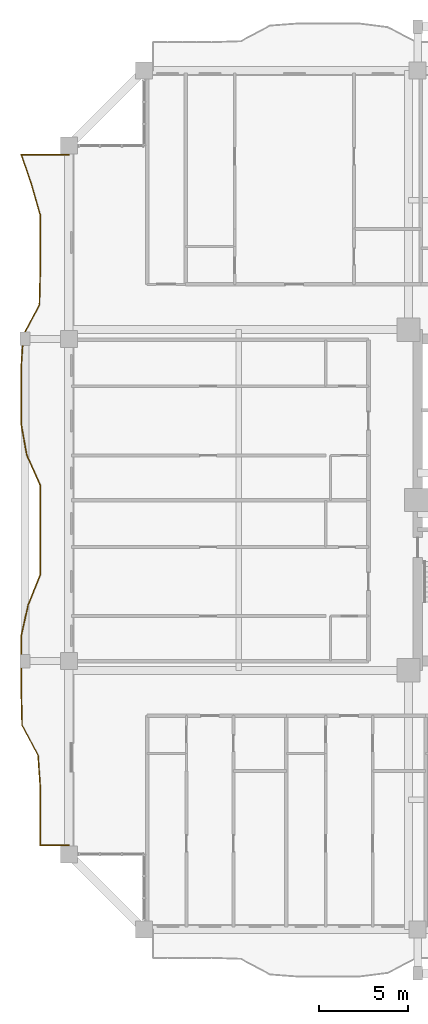
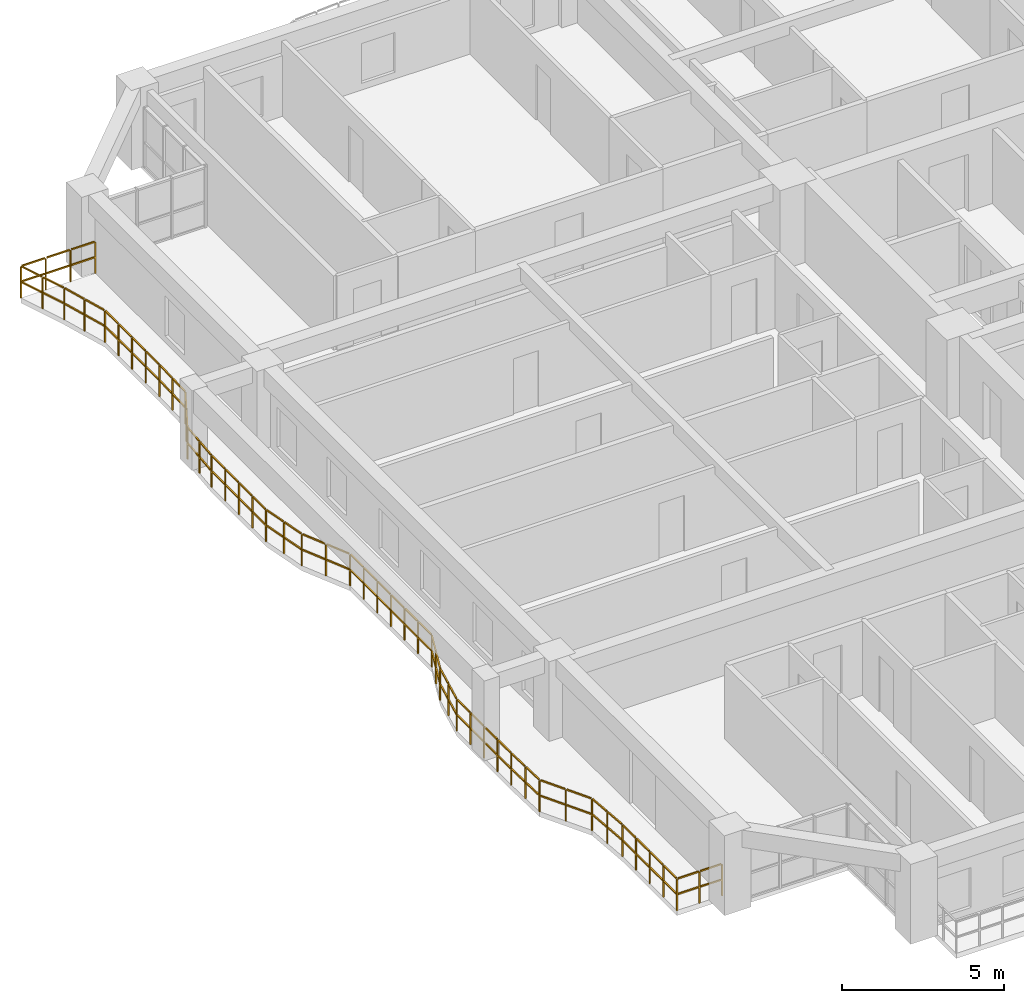
# One storey, part 22 of 25: 1 railing.
"""IFC4 building model written with IfcOpenShell, lengths in metres."""

from ifc_helpers import new_model, si_unit, direction, frame, origin, origin_2d, place, context, subcontext, project, spatial, rectangle, extrude, material, type_object, element, save


model = new_model("IFC4")

# Units and contexts
model_context = context("Model", 3, precision=1e-05, world=origin(), true_north=direction((0.0, 1.0)))
body_context = subcontext(model_context, "Body", "Model", "MODEL_VIEW")
ifc_project = project(units=[si_unit("LENGTHUNIT", "METRE"), si_unit("AREAUNIT", "SQUARE_METRE"), si_unit("VOLUMEUNIT", "CUBIC_METRE"), si_unit("PLANEANGLEUNIT", "RADIAN"), si_unit("MASSUNIT", "GRAM", prefix="KILO")], contexts=[model_context])

# Site, building, storey
site_placement = place(None, origin())
site = spatial("IfcSite", under=ifc_project, at=site_placement, CompositionType="ELEMENT")
building_placement = place(site_placement, origin())
building = spatial("IfcBuilding", under=site, at=building_placement, Name="Saelheon Loggia Tower", CompositionType="ELEMENT")
storey_placement = place(building_placement, frame((0.0, 0.0, 80.85009765625)))
storey = spatial("IfcBuildingStorey", under=building, at=storey_placement, Name="L25", CompositionType="ELEMENT", Elevation=80.85009765625)

# Railing
ifc_material = material(Name="Architectural Precast Concrete and Laminated Glass Guard", Category="concrete")
railing_type = type_object("IfcRailingType", Name="Guard_Loggia_RL_LOG", PredefinedType="BALUSTRADE", material=ifc_material)
railing_placement = place(storey_placement, frame((12.0, 46.300048828125, 0.0)))
element("IfcRailing", 1, at=railing_placement, inside=storey, type_object=railing_type, Name="L25 West Loggia Balustrade", PredefinedType="BALUSTRADE", context=body_context, shape_type="SweptSolid", body=[
    extrude(rectangle(XDim=0.048095703125, YDim=0.048095703125, at=origin_2d()), frame((-0.033203125, 0.0, 1.19580078125), z_axis=(-1.0, 0.0, 0.0), x_axis=(0.0, -1.0, 0.0)), (0.0, 0.0, 1.0), 0.81689453125),
    extrude(rectangle(XDim=0.048095703125, YDim=0.048095703125, at=origin_2d()), frame((-0.033203125, 0.0, 0.60986328125), z_axis=(-1.0, 0.0, 0.0), x_axis=(0.0, -1.0, 0.0)), (0.0, 0.0, 1.0), 0.81689453125),
    extrude(rectangle(XDim=0.048095703125, YDim=0.048095703125, at=origin_2d()), frame((-0.91650390625, 0.0, 1.19580078125), z_axis=(-1.0, 0.0, 0.0), x_axis=(0.0, -1.0, 0.0)), (0.0, 0.0, 1.0), 0.81689453125),
    extrude(rectangle(XDim=0.048095703125, YDim=0.048095703125, at=origin_2d()), frame((-0.91650390625, 0.0, 0.60986328125), z_axis=(-1.0, 0.0, 0.0), x_axis=(0.0, -1.0, 0.0)), (0.0, 0.0, 1.0), 0.81689453125),
    extrude(rectangle(XDim=0.048095703125, YDim=0.048095703125, at=origin_2d()), frame((-1.7998046875, 0.0, 1.19580078125), z_axis=(-1.0, 0.0, 0.0), x_axis=(0.0, -1.0, 0.0)), (0.0, 0.0, 1.0), 0.81689453125),
    extrude(rectangle(XDim=0.048095703125, YDim=0.048095703125, at=origin_2d()), frame((-1.7998046875, 0.0, 0.60986328125), z_axis=(-1.0, 0.0, 0.0), x_axis=(0.0, -1.0, 0.0)), (0.0, 0.0, 1.0), 0.81689453125),
    extrude(rectangle(XDim=0.048095703125, YDim=0.048095703125, at=origin_2d()), frame((-2.63916015625, -0.031494140625, 1.19580078125), z_axis=(0.321347076039, -0.946961486398, 0.0), x_axis=(0.946961486398, 0.321347076039, 0.0)), (0.0, 0.0, 1.0), 0.81982421875),
    extrude(rectangle(XDim=0.048095703125, YDim=0.048095703125, at=origin_2d()), frame((-2.63916015625, -0.031494140625, 0.60986328125), z_axis=(0.321347076039, -0.946961486398, 0.0), x_axis=(0.946961486398, 0.321347076039, 0.0)), (0.0, 0.0, 1.0), 0.81982421875),
    extrude(rectangle(XDim=0.048095703125, YDim=0.048095703125, at=origin_2d()), frame((-2.3544921875, -0.87060546875, 1.19580078125), z_axis=(0.321347076039, -0.946961486398, 0.0), x_axis=(0.946961486398, 0.321347076039, 0.0)), (0.0, 0.0, 1.0), 0.81982421875),
    extrude(rectangle(XDim=0.048095703125, YDim=0.048095703125, at=origin_2d()), frame((-2.3544921875, -0.87060546875, 0.60986328125), z_axis=(0.321347076039, -0.946961486398, 0.0), x_axis=(0.946961486398, 0.321347076039, 0.0)), (0.0, 0.0, 1.0), 0.81982421875),
    extrude(rectangle(XDim=0.048095703125, YDim=0.048095703125, at=origin_2d()), frame((-2.0712890625, -1.71044921875, 1.19580078125), z_axis=(0.275146022747, -0.961402447556, 0.0), x_axis=(0.961402447556, 0.275146022747, 0.0)), (0.0, 0.0, 1.0), 0.80615234375),
    extrude(rectangle(XDim=0.048095703125, YDim=0.048095703125, at=origin_2d()), frame((-2.0712890625, -1.71044921875, 0.60986328125), z_axis=(0.275146022747, -0.961402447556, 0.0), x_axis=(0.961402447556, 0.275146022747, 0.0)), (0.0, 0.0, 1.0), 0.80615234375),
    extrude(rectangle(XDim=0.048095703125, YDim=0.048095703125, at=origin_2d()), frame((-1.8310546875, -2.54931640625, 1.19580078125), z_axis=(0.275146022747, -0.961402447556, 0.0), x_axis=(0.961402447556, 0.275146022747, 0.0)), (0.0, 0.0, 1.0), 0.80615234375),
    extrude(rectangle(XDim=0.048095703125, YDim=0.048095703125, at=origin_2d()), frame((-1.8310546875, -2.54931640625, 0.60986328125), z_axis=(0.275146022747, -0.961402447556, 0.0), x_axis=(0.961402447556, 0.275146022747, 0.0)), (0.0, 0.0, 1.0), 0.80615234375),
    extrude(rectangle(XDim=0.048095703125, YDim=0.048095703125, at=origin_2d()), frame((-1.60009765625, -3.3896484375, 1.19580078125), z_axis=(0.0, -1.0, 0.0), x_axis=(1.0, 0.0, 0.0)), (0.0, 0.0, 1.0), 0.772705078125),
    extrude(rectangle(XDim=0.048095703125, YDim=0.048095703125, at=origin_2d()), frame((-1.60009765625, -3.3896484375, 0.60986328125), z_axis=(0.0, -1.0, 0.0), x_axis=(1.0, 0.0, 0.0)), (0.0, 0.0, 1.0), 0.772705078125),
    extrude(rectangle(XDim=0.048095703125, YDim=0.048095703125, at=origin_2d()), frame((-1.60009765625, -4.22900390625, 1.19580078125), z_axis=(0.0, -1.0, 0.0), x_axis=(1.0, 0.0, 0.0)), (0.0, 0.0, 1.0), 0.772705078125),
    extrude(rectangle(XDim=0.048095703125, YDim=0.048095703125, at=origin_2d()), frame((-1.60009765625, -4.22900390625, 0.60986328125), z_axis=(0.0, -1.0, 0.0), x_axis=(1.0, 0.0, 0.0)), (0.0, 0.0, 1.0), 0.772705078125),
    extrude(rectangle(XDim=0.048095703125, YDim=0.048095703125, at=origin_2d()), frame((-1.60009765625, -5.068115234375, 1.19580078125), z_axis=(0.0, -1.0, 0.0), x_axis=(1.0, 0.0, 0.0)), (0.0, 0.0, 1.0), 0.772705078125),
    extrude(rectangle(XDim=0.048095703125, YDim=0.048095703125, at=origin_2d()), frame((-1.60009765625, -5.068115234375, 0.60986328125), z_axis=(0.0, -1.0, 0.0), x_axis=(1.0, 0.0, 0.0)), (0.0, 0.0, 1.0), 0.772705078125),
    extrude(rectangle(XDim=0.048095703125, YDim=0.048095703125, at=origin_2d()), frame((-1.60009765625, -5.9072265625, 1.19580078125), z_axis=(0.0, -1.0, 0.0), x_axis=(1.0, 0.0, 0.0)), (0.0, 0.0, 1.0), 0.772705078125),
    extrude(rectangle(XDim=0.048095703125, YDim=0.048095703125, at=origin_2d()), frame((-1.60009765625, -5.9072265625, 0.60986328125), z_axis=(0.0, -1.0, 0.0), x_axis=(1.0, 0.0, 0.0)), (0.0, 0.0, 1.0), 0.772705078125),
    extrude(rectangle(XDim=0.048095703125, YDim=0.048095703125, at=origin_2d()), frame((-1.600830078125, -6.746337890625, 1.19580078125), z_axis=(-0.024723310515, -0.999694332242, 0.0), x_axis=(0.999694332242, -0.024723310515, 0.0)), (0.0, 0.0, 1.0), 0.77294921875),
    extrude(rectangle(XDim=0.048095703125, YDim=0.048095703125, at=origin_2d()), frame((-1.600830078125, -6.746337890625, 0.60986328125), z_axis=(-0.024723310515, -0.999694332242, 0.0), x_axis=(0.999694332242, -0.024723310515, 0.0)), (0.0, 0.0, 1.0), 0.77294921875),
    extrude(rectangle(XDim=0.048095703125, YDim=0.048095703125, at=origin_2d()), frame((-1.62158203125, -7.58544921875, 1.19580078125), z_axis=(-0.024723310515, -0.999694332242, 0.0), x_axis=(0.999694332242, -0.024723310515, 0.0)), (0.0, 0.0, 1.0), 0.77294921875),
    extrude(rectangle(XDim=0.048095703125, YDim=0.048095703125, at=origin_2d()), frame((-1.62158203125, -7.58544921875, 0.60986328125), z_axis=(-0.024723310515, -0.999694332242, 0.0), x_axis=(0.999694332242, -0.024723310515, 0.0)), (0.0, 0.0, 1.0), 0.77294921875),
    extrude(rectangle(XDim=0.048095703125, YDim=0.048095703125, at=origin_2d()), frame((-1.6572265625, -8.420654296875, 1.19580078125), z_axis=(-0.470275016821, -0.882519919636, 0.0), x_axis=(0.882519919636, -0.470275016821, 0.0)), (0.0, 0.0, 1.0), 0.88427734375),
    extrude(rectangle(XDim=0.048095703125, YDim=0.048095703125, at=origin_2d()), frame((-1.6572265625, -8.420654296875, 0.60986328125), z_axis=(-0.470275016821, -0.882519919636, 0.0), x_axis=(0.882519919636, -0.470275016821, 0.0)), (0.0, 0.0, 1.0), 0.88427734375),
    extrude(rectangle(XDim=0.048095703125, YDim=0.048095703125, at=origin_2d()), frame((-2.1044921875, -9.259765625, 1.19580078125), z_axis=(-0.470275016821, -0.882519919636, 0.0), x_axis=(0.882519919636, -0.470275016821, 0.0)), (0.0, 0.0, 1.0), 0.88427734375),
    extrude(rectangle(XDim=0.048095703125, YDim=0.048095703125, at=origin_2d()), frame((-2.1044921875, -9.259765625, 0.60986328125), z_axis=(-0.470275016821, -0.882519919636, 0.0), x_axis=(0.882519919636, -0.470275016821, 0.0)), (0.0, 0.0, 1.0), 0.88427734375),
    extrude(rectangle(XDim=0.048095703125, YDim=0.048095703125, at=origin_2d()), frame((-2.5380859375, -10.102783203125, 1.19580078125), z_axis=(-0.06778091462, -0.997700229334, 0.0), x_axis=(0.997700229334, -0.06778091462, 0.0)), (0.0, 0.0, 1.0), 0.774658203125),
    extrude(rectangle(XDim=0.048095703125, YDim=0.048095703125, at=origin_2d()), frame((-2.5380859375, -10.102783203125, 0.60986328125), z_axis=(-0.06778091462, -0.997700229334, 0.0), x_axis=(0.997700229334, -0.06778091462, 0.0)), (0.0, 0.0, 1.0), 0.774658203125),
    extrude(rectangle(XDim=0.048095703125, YDim=0.048095703125, at=origin_2d()), frame((-2.59521484375, -10.94189453125, 1.19580078125), z_axis=(-0.06778091462, -0.997700229334, 0.0), x_axis=(0.997700229334, -0.06778091462, 0.0)), (0.0, 0.0, 1.0), 0.774658203125),
    extrude(rectangle(XDim=0.048095703125, YDim=0.048095703125, at=origin_2d()), frame((-2.59521484375, -10.94189453125, 0.60986328125), z_axis=(-0.06778091462, -0.997700229334, 0.0), x_axis=(0.997700229334, -0.06778091462, 0.0)), (0.0, 0.0, 1.0), 0.774658203125),
    extrude(rectangle(XDim=0.048095703125, YDim=0.048095703125, at=origin_2d()), frame((-2.64990234375, -11.781005859375, 1.19580078125), z_axis=(0.0, -1.0, 0.0), x_axis=(1.0, 0.0, 0.0)), (0.0, 0.0, 1.0), 0.772705078125),
    extrude(rectangle(XDim=0.048095703125, YDim=0.048095703125, at=origin_2d()), frame((-2.64990234375, -11.781005859375, 0.60986328125), z_axis=(0.0, -1.0, 0.0), x_axis=(1.0, 0.0, 0.0)), (0.0, 0.0, 1.0), 0.772705078125),
    extrude(rectangle(XDim=0.048095703125, YDim=0.048095703125, at=origin_2d()), frame((-2.64990234375, -12.620361328125, 1.19580078125), z_axis=(0.0, -1.0, 0.0), x_axis=(1.0, 0.0, 0.0)), (0.0, 0.0, 1.0), 0.772705078125),
    extrude(rectangle(XDim=0.048095703125, YDim=0.048095703125, at=origin_2d()), frame((-2.64990234375, -12.620361328125, 0.60986328125), z_axis=(0.0, -1.0, 0.0), x_axis=(1.0, 0.0, 0.0)), (0.0, 0.0, 1.0), 0.772705078125),
    extrude(rectangle(XDim=0.048095703125, YDim=0.048095703125, at=origin_2d()), frame((-2.64990234375, -13.45947265625, 1.19580078125), z_axis=(0.0, -1.0, 0.0), x_axis=(1.0, 0.0, 0.0)), (0.0, 0.0, 1.0), 0.7724609375),
    extrude(rectangle(XDim=0.048095703125, YDim=0.048095703125, at=origin_2d()), frame((-2.64990234375, -13.45947265625, 0.60986328125), z_axis=(0.0, -1.0, 0.0), x_axis=(1.0, 0.0, 0.0)), (0.0, 0.0, 1.0), 0.7724609375),
    extrude(rectangle(XDim=0.048095703125, YDim=0.048095703125, at=origin_2d()), frame((-2.64990234375, -14.298583984375, 1.19580078125), z_axis=(0.0, -1.0, 0.0), x_axis=(1.0, 0.0, 0.0)), (0.0, 0.0, 1.0), 0.7724609375),
    extrude(rectangle(XDim=0.048095703125, YDim=0.048095703125, at=origin_2d()), frame((-2.64990234375, -14.298583984375, 0.60986328125), z_axis=(0.0, -1.0, 0.0), x_axis=(1.0, 0.0, 0.0)), (0.0, 0.0, 1.0), 0.7724609375),
    extrude(rectangle(XDim=0.048095703125, YDim=0.048095703125, at=origin_2d()), frame((-2.64404296875, -15.136962890625, 1.19580078125), z_axis=(0.176390201741, -0.984320322217, 0.0), x_axis=(0.984320322217, 0.176390201741, 0.0)), (0.0, 0.0, 1.0), 0.7861328125),
    extrude(rectangle(XDim=0.048095703125, YDim=0.048095703125, at=origin_2d()), frame((-2.64404296875, -15.136962890625, 0.60986328125), z_axis=(0.176390201741, -0.984320322217, 0.0), x_axis=(0.984320322217, 0.176390201741, 0.0)), (0.0, 0.0, 1.0), 0.7861328125),
    extrude(rectangle(XDim=0.048095703125, YDim=0.048095703125, at=origin_2d()), frame((-2.49365234375, -15.97607421875, 1.19580078125), z_axis=(0.176390201741, -0.984320322217, 0.0), x_axis=(0.984320322217, 0.176390201741, 0.0)), (0.0, 0.0, 1.0), 0.7861328125),
    extrude(rectangle(XDim=0.048095703125, YDim=0.048095703125, at=origin_2d()), frame((-2.49365234375, -15.97607421875, 0.60986328125), z_axis=(0.176390201741, -0.984320322217, 0.0), x_axis=(0.984320322217, 0.176390201741, 0.0)), (0.0, 0.0, 1.0), 0.7861328125),
    extrude(rectangle(XDim=0.048095703125, YDim=0.048095703125, at=origin_2d()), frame((-2.335693359375, -16.81298828125, 1.19580078125), z_axis=(0.407567762137, -0.913174966404, 0.0), x_axis=(0.913174966404, 0.407567762137, 0.0)), (0.0, 0.0, 1.0), 0.8525390625),
    extrude(rectangle(XDim=0.048095703125, YDim=0.048095703125, at=origin_2d()), frame((-2.335693359375, -16.81298828125, 0.60986328125), z_axis=(0.407567762137, -0.913174966404, 0.0), x_axis=(0.913174966404, 0.407567762137, 0.0)), (0.0, 0.0, 1.0), 0.8525390625),
    extrude(rectangle(XDim=0.048095703125, YDim=0.048095703125, at=origin_2d()), frame((-1.961181640625, -17.652099609375, 1.19580078125), z_axis=(0.407567762137, -0.913174966404, 0.0), x_axis=(0.913174966404, 0.407567762137, 0.0)), (0.0, 0.0, 1.0), 0.8525390625),
    extrude(rectangle(XDim=0.048095703125, YDim=0.048095703125, at=origin_2d()), frame((-1.961181640625, -17.652099609375, 0.60986328125), z_axis=(0.407567762137, -0.913174966404, 0.0), x_axis=(0.913174966404, 0.407567762137, 0.0)), (0.0, 0.0, 1.0), 0.8525390625),
    extrude(rectangle(XDim=0.048095703125, YDim=0.048095703125, at=origin_2d()), frame((-1.60009765625, -18.494140625, 1.19580078125), z_axis=(0.0, -1.0, 0.0), x_axis=(1.0, 0.0, 0.0)), (0.0, 0.0, 1.0), 0.772705078125),
    extrude(rectangle(XDim=0.048095703125, YDim=0.048095703125, at=origin_2d()), frame((-1.60009765625, -18.494140625, 0.60986328125), z_axis=(0.0, -1.0, 0.0), x_axis=(1.0, 0.0, 0.0)), (0.0, 0.0, 1.0), 0.772705078125),
    extrude(rectangle(XDim=0.048095703125, YDim=0.048095703125, at=origin_2d()), frame((-1.60009765625, -19.333251953125, 1.19580078125), z_axis=(0.0, -1.0, 0.0), x_axis=(1.0, 0.0, 0.0)), (0.0, 0.0, 1.0), 0.772705078125),
    extrude(rectangle(XDim=0.048095703125, YDim=0.048095703125, at=origin_2d()), frame((-1.60009765625, -19.333251953125, 0.60986328125), z_axis=(0.0, -1.0, 0.0), x_axis=(1.0, 0.0, 0.0)), (0.0, 0.0, 1.0), 0.772705078125),
    extrude(rectangle(XDim=0.048095703125, YDim=0.048095703125, at=origin_2d()), frame((-1.60009765625, -20.17236328125, 1.19580078125), z_axis=(0.0, -1.0, 0.0), x_axis=(1.0, 0.0, 0.0)), (0.0, 0.0, 1.0), 0.772705078125),
    extrude(rectangle(XDim=0.048095703125, YDim=0.048095703125, at=origin_2d()), frame((-1.60009765625, -20.17236328125, 0.60986328125), z_axis=(0.0, -1.0, 0.0), x_axis=(1.0, 0.0, 0.0)), (0.0, 0.0, 1.0), 0.772705078125),
    extrude(rectangle(XDim=0.048095703125, YDim=0.048095703125, at=origin_2d()), frame((-1.60009765625, -21.011474609375, 1.19580078125), z_axis=(0.0, -1.0, 0.0), x_axis=(1.0, 0.0, 0.0)), (0.0, 0.0, 1.0), 0.772705078125),
    extrude(rectangle(XDim=0.048095703125, YDim=0.048095703125, at=origin_2d()), frame((-1.60009765625, -21.011474609375, 0.60986328125), z_axis=(0.0, -1.0, 0.0), x_axis=(1.0, 0.0, 0.0)), (0.0, 0.0, 1.0), 0.772705078125),
    extrude(rectangle(XDim=0.048095703125, YDim=0.048095703125, at=origin_2d()), frame((-1.60009765625, -21.8505859375, 1.19580078125), z_axis=(0.0, -1.0, 0.0), x_axis=(1.0, 0.0, 0.0)), (0.0, 0.0, 1.0), 0.772705078125),
    extrude(rectangle(XDim=0.048095703125, YDim=0.048095703125, at=origin_2d()), frame((-1.60009765625, -21.8505859375, 0.60986328125), z_axis=(0.0, -1.0, 0.0), x_axis=(1.0, 0.0, 0.0)), (0.0, 0.0, 1.0), 0.772705078125),
    extrude(rectangle(XDim=0.048095703125, YDim=0.048095703125, at=origin_2d()), frame((-1.60009765625, -22.68994140625, 1.19580078125), z_axis=(0.0, -1.0, 0.0), x_axis=(1.0, 0.0, 0.0)), (0.0, 0.0, 1.0), 0.772705078125),
    extrude(rectangle(XDim=0.048095703125, YDim=0.048095703125, at=origin_2d()), frame((-1.60009765625, -22.68994140625, 0.60986328125), z_axis=(0.0, -1.0, 0.0), x_axis=(1.0, 0.0, 0.0)), (0.0, 0.0, 1.0), 0.772705078125),
    extrude(rectangle(XDim=0.048095703125, YDim=0.048095703125, at=origin_2d()), frame((-1.612548828125, -23.526611328125, 1.19580078125), z_axis=(-0.371483836575, -0.928439421375, 0.0), x_axis=(0.928439421375, -0.371483836575, 0.0)), (0.0, 0.0, 1.0), 0.837158203125),
    extrude(rectangle(XDim=0.048095703125, YDim=0.048095703125, at=origin_2d()), frame((-1.612548828125, -23.526611328125, 0.60986328125), z_axis=(-0.371483836575, -0.928439421375, 0.0), x_axis=(0.928439421375, -0.371483836575, 0.0)), (0.0, 0.0, 1.0), 0.837158203125),
    extrude(rectangle(XDim=0.048095703125, YDim=0.048095703125, at=origin_2d()), frame((-1.9482421875, -24.36572265625, 1.19580078125), z_axis=(-0.371483836575, -0.928439421375, 0.0), x_axis=(0.928439421375, -0.371483836575, 0.0)), (0.0, 0.0, 1.0), 0.837158203125),
    extrude(rectangle(XDim=0.048095703125, YDim=0.048095703125, at=origin_2d()), frame((-1.9482421875, -24.36572265625, 0.60986328125), z_axis=(-0.371483836575, -0.928439421375, 0.0), x_axis=(0.928439421375, -0.371483836575, 0.0)), (0.0, 0.0, 1.0), 0.837158203125),
    extrude(rectangle(XDim=0.048095703125, YDim=0.048095703125, at=origin_2d()), frame((-2.27880859375, -25.206298828125, 1.19580078125), z_axis=(-0.219934224099, -0.975514703667, 0.0), x_axis=(0.975514703667, -0.219934224099, 0.0)), (0.0, 0.0, 1.0), 0.7939453125),
    extrude(rectangle(XDim=0.048095703125, YDim=0.048095703125, at=origin_2d()), frame((-2.27880859375, -25.206298828125, 0.60986328125), z_axis=(-0.219934224099, -0.975514703667, 0.0), x_axis=(0.975514703667, -0.219934224099, 0.0)), (0.0, 0.0, 1.0), 0.7939453125),
    extrude(rectangle(XDim=0.048095703125, YDim=0.048095703125, at=origin_2d()), frame((-2.468017578125, -26.04541015625, 1.19580078125), z_axis=(-0.219934224099, -0.975514703667, 0.0), x_axis=(0.975514703667, -0.219934224099, 0.0)), (0.0, 0.0, 1.0), 0.7939453125),
    extrude(rectangle(XDim=0.048095703125, YDim=0.048095703125, at=origin_2d()), frame((-2.468017578125, -26.04541015625, 0.60986328125), z_axis=(-0.219934224099, -0.975514703667, 0.0), x_axis=(0.975514703667, -0.219934224099, 0.0)), (0.0, 0.0, 1.0), 0.7939453125),
    extrude(rectangle(XDim=0.048095703125, YDim=0.048095703125, at=origin_2d()), frame((-2.64990234375, -26.885498046875, 1.19580078125), z_axis=(0.0, -1.0, 0.0), x_axis=(1.0, 0.0, 0.0)), (0.0, 0.0, 1.0), 0.772705078125),
    extrude(rectangle(XDim=0.048095703125, YDim=0.048095703125, at=origin_2d()), frame((-2.64990234375, -26.885498046875, 0.60986328125), z_axis=(0.0, -1.0, 0.0), x_axis=(1.0, 0.0, 0.0)), (0.0, 0.0, 1.0), 0.772705078125),
    extrude(rectangle(XDim=0.048095703125, YDim=0.048095703125, at=origin_2d()), frame((-2.64990234375, -27.724609375, 1.19580078125), z_axis=(0.0, -1.0, 0.0), x_axis=(1.0, 0.0, 0.0)), (0.0, 0.0, 1.0), 0.772705078125),
    extrude(rectangle(XDim=0.048095703125, YDim=0.048095703125, at=origin_2d()), frame((-2.64990234375, -27.724609375, 0.60986328125), z_axis=(0.0, -1.0, 0.0), x_axis=(1.0, 0.0, 0.0)), (0.0, 0.0, 1.0), 0.772705078125),
    extrude(rectangle(XDim=0.048095703125, YDim=0.048095703125, at=origin_2d()), frame((-2.64990234375, -28.563720703125, 1.19580078125), z_axis=(0.0, -1.0, 0.0), x_axis=(1.0, 0.0, 0.0)), (0.0, 0.0, 1.0), 0.772705078125),
    extrude(rectangle(XDim=0.048095703125, YDim=0.048095703125, at=origin_2d()), frame((-2.64990234375, -28.563720703125, 0.60986328125), z_axis=(0.0, -1.0, 0.0), x_axis=(1.0, 0.0, 0.0)), (0.0, 0.0, 1.0), 0.772705078125),
    extrude(rectangle(XDim=0.048095703125, YDim=0.048095703125, at=origin_2d()), frame((-2.64990234375, -29.40283203125, 1.19580078125), z_axis=(0.0, -1.0, 0.0), x_axis=(1.0, 0.0, 0.0)), (0.0, 0.0, 1.0), 0.772705078125),
    extrude(rectangle(XDim=0.048095703125, YDim=0.048095703125, at=origin_2d()), frame((-2.64990234375, -29.40283203125, 0.60986328125), z_axis=(0.0, -1.0, 0.0), x_axis=(1.0, 0.0, 0.0)), (0.0, 0.0, 1.0), 0.772705078125),
    extrude(rectangle(XDim=0.048095703125, YDim=0.048095703125, at=origin_2d()), frame((-2.649169921875, -30.241943359375, 1.19580078125), z_axis=(0.023851228559, -0.999715518983, 0.0), x_axis=(0.999715518983, 0.023851228559, 0.0)), (0.0, 0.0, 1.0), 0.77294921875),
    extrude(rectangle(XDim=0.048095703125, YDim=0.048095703125, at=origin_2d()), frame((-2.649169921875, -30.241943359375, 0.60986328125), z_axis=(0.023851228559, -0.999715518983, 0.0), x_axis=(0.999715518983, 0.023851228559, 0.0)), (0.0, 0.0, 1.0), 0.77294921875),
    extrude(rectangle(XDim=0.048095703125, YDim=0.048095703125, at=origin_2d()), frame((-2.629150390625, -31.0810546875, 1.19580078125), z_axis=(0.023851228559, -0.999715518983, 0.0), x_axis=(0.999715518983, 0.023851228559, 0.0)), (0.0, 0.0, 1.0), 0.77294921875),
    extrude(rectangle(XDim=0.048095703125, YDim=0.048095703125, at=origin_2d()), frame((-2.629150390625, -31.0810546875, 0.60986328125), z_axis=(0.023851228559, -0.999715518983, 0.0), x_axis=(0.999715518983, 0.023851228559, 0.0)), (0.0, 0.0, 1.0), 0.77294921875),
    extrude(rectangle(XDim=0.048095703125, YDim=0.048095703125, at=origin_2d()), frame((-2.59423828125, -31.916259765625, 1.19580078125), z_axis=(0.4706748388, -0.882306747181, 0.0), x_axis=(0.882306747181, 0.4706748388, 0.0)), (0.0, 0.0, 1.0), 0.884521484375),
    extrude(rectangle(XDim=0.048095703125, YDim=0.048095703125, at=origin_2d()), frame((-2.59423828125, -31.916259765625, 0.60986328125), z_axis=(0.4706748388, -0.882306747181, 0.0), x_axis=(0.882306747181, 0.4706748388, 0.0)), (0.0, 0.0, 1.0), 0.884521484375),
    extrude(rectangle(XDim=0.048095703125, YDim=0.048095703125, at=origin_2d()), frame((-2.146484375, -32.75537109375, 1.19580078125), z_axis=(0.4706748388, -0.882306747181, 0.0), x_axis=(0.882306747181, 0.4706748388, 0.0)), (0.0, 0.0, 1.0), 0.884521484375),
    extrude(rectangle(XDim=0.048095703125, YDim=0.048095703125, at=origin_2d()), frame((-2.146484375, -32.75537109375, 0.60986328125), z_axis=(0.4706748388, -0.882306747181, 0.0), x_axis=(0.882306747181, 0.4706748388, 0.0)), (0.0, 0.0, 1.0), 0.884521484375),
    extrude(rectangle(XDim=0.048095703125, YDim=0.048095703125, at=origin_2d()), frame((-1.71240234375, -33.598388671875, 1.19580078125), z_axis=(0.068059999537, -0.997681229884, 0.0), x_axis=(0.997681229884, 0.068059999537, 0.0)), (0.0, 0.0, 1.0), 0.774658203125),
    extrude(rectangle(XDim=0.048095703125, YDim=0.048095703125, at=origin_2d()), frame((-1.71240234375, -33.598388671875, 0.60986328125), z_axis=(0.068059999537, -0.997681229884, 0.0), x_axis=(0.997681229884, 0.068059999537, 0.0)), (0.0, 0.0, 1.0), 0.774658203125),
    extrude(rectangle(XDim=0.048095703125, YDim=0.048095703125, at=origin_2d()), frame((-1.655029296875, -34.4375, 1.19580078125), z_axis=(0.068059999537, -0.997681229884, 0.0), x_axis=(0.997681229884, 0.068059999537, 0.0)), (0.0, 0.0, 1.0), 0.774658203125),
    extrude(rectangle(XDim=0.048095703125, YDim=0.048095703125, at=origin_2d()), frame((-1.655029296875, -34.4375, 0.60986328125), z_axis=(0.068059999537, -0.997681229884, 0.0), x_axis=(0.997681229884, 0.068059999537, 0.0)), (0.0, 0.0, 1.0), 0.774658203125),
    extrude(rectangle(XDim=0.048095703125, YDim=0.048095703125, at=origin_2d()), frame((-1.60009765625, -35.27685546875, 1.19580078125), z_axis=(0.0, -1.0, 0.0), x_axis=(1.0, 0.0, 0.0)), (0.0, 0.0, 1.0), 0.7724609375),
    extrude(rectangle(XDim=0.048095703125, YDim=0.048095703125, at=origin_2d()), frame((-1.60009765625, -35.27685546875, 0.60986328125), z_axis=(0.0, -1.0, 0.0), x_axis=(1.0, 0.0, 0.0)), (0.0, 0.0, 1.0), 0.7724609375),
    extrude(rectangle(XDim=0.048095703125, YDim=0.048095703125, at=origin_2d()), frame((-1.60009765625, -36.115966796875, 1.19580078125), z_axis=(0.0, -1.0, 0.0), x_axis=(1.0, 0.0, 0.0)), (0.0, 0.0, 1.0), 0.7724609375),
    extrude(rectangle(XDim=0.048095703125, YDim=0.048095703125, at=origin_2d()), frame((-1.60009765625, -36.115966796875, 0.60986328125), z_axis=(0.0, -1.0, 0.0), x_axis=(1.0, 0.0, 0.0)), (0.0, 0.0, 1.0), 0.7724609375),
    extrude(rectangle(XDim=0.048095703125, YDim=0.048095703125, at=origin_2d()), frame((-1.60009765625, -36.954833984375, 1.19580078125), z_axis=(0.0, -1.0, 0.0), x_axis=(1.0, 0.0, 0.0)), (0.0, 0.0, 1.0), 0.772705078125),
    extrude(rectangle(XDim=0.048095703125, YDim=0.048095703125, at=origin_2d()), frame((-1.60009765625, -36.954833984375, 0.60986328125), z_axis=(0.0, -1.0, 0.0), x_axis=(1.0, 0.0, 0.0)), (0.0, 0.0, 1.0), 0.772705078125),
    extrude(rectangle(XDim=0.048095703125, YDim=0.048095703125, at=origin_2d()), frame((-1.60009765625, -37.794189453125, 1.19580078125), z_axis=(0.0, -1.0, 0.0), x_axis=(1.0, 0.0, 0.0)), (0.0, 0.0, 1.0), 0.772705078125),
    extrude(rectangle(XDim=0.048095703125, YDim=0.048095703125, at=origin_2d()), frame((-1.60009765625, -37.794189453125, 0.60986328125), z_axis=(0.0, -1.0, 0.0), x_axis=(1.0, 0.0, 0.0)), (0.0, 0.0, 1.0), 0.772705078125),
    extrude(rectangle(XDim=0.048095703125, YDim=0.048095703125, at=origin_2d()), frame((-1.56689453125, -38.60009765625, 1.19580078125), z_axis=(1.0, 0.0, 0.0), x_axis=(0.0, 1.0, 0.0)), (0.0, 0.0, 1.0), 0.733642578125),
    extrude(rectangle(XDim=0.048095703125, YDim=0.048095703125, at=origin_2d()), frame((-1.56689453125, -38.60009765625, 0.60986328125), z_axis=(1.0, 0.0, 0.0), x_axis=(0.0, 1.0, 0.0)), (0.0, 0.0, 1.0), 0.733642578125),
    extrude(rectangle(XDim=0.048095703125, YDim=0.048095703125, at=origin_2d()), frame((-0.766845703125, -38.60009765625, 1.19580078125), z_axis=(1.0, 0.0, 0.0), x_axis=(0.0, 1.0, 0.0)), (0.0, 0.0, 1.0), 0.733642578125),
    extrude(rectangle(XDim=0.048095703125, YDim=0.048095703125, at=origin_2d()), frame((-0.766845703125, -38.60009765625, 0.60986328125), z_axis=(1.0, 0.0, 0.0), x_axis=(0.0, 1.0, 0.0)), (0.0, 0.0, 1.0), 0.733642578125),
    extrude(rectangle(XDim=0.0419921875, YDim=0.0419921875, at=origin_2d()), origin(), (0.0, 0.0, 1.0), 1.16796875),
    extrude(rectangle(XDim=0.0419921875, YDim=0.0419921875, at=origin_2d()), frame((-0.88330078125, 0.0, 0.0)), (0.0, 0.0, 1.0), 1.16796875),
    extrude(rectangle(XDim=0.0419921875, YDim=0.0419921875, at=origin_2d()), frame((-1.7666015625, 0.0, 0.0)), (0.0, 0.0, 1.0), 1.16796875),
    extrude(rectangle(XDim=0.0419921875, YDim=0.0419921875, at=origin_2d()), frame((-2.64990234375, 0.0, 0.0)), (0.0, 0.0, 1.0), 1.16796875),
    extrude(rectangle(XDim=0.0419921875, YDim=0.0419921875, at=origin_2d()), frame((-2.365234375, -0.83935546875, 0.0)), (0.0, 0.0, 1.0), 1.16796875),
    extrude(rectangle(XDim=0.0419921875, YDim=0.0419921875, at=origin_2d()), frame((-2.080322265625, -1.678466796875, 0.0)), (0.0, 0.0, 1.0), 1.16796875),
    extrude(rectangle(XDim=0.0419921875, YDim=0.0419921875, at=origin_2d()), frame((-1.84033203125, -2.517578125, 0.0)), (0.0, 0.0, 1.0), 1.16796875),
    extrude(rectangle(XDim=0.0419921875, YDim=0.0419921875, at=origin_2d()), frame((-1.60009765625, -3.3564453125, 0.0)), (0.0, 0.0, 1.0), 1.16796875),
    extrude(rectangle(XDim=0.0419921875, YDim=0.0419921875, at=origin_2d()), frame((-1.60009765625, -4.19580078125, 0.0)), (0.0, 0.0, 1.0), 1.16796875),
    extrude(rectangle(XDim=0.0419921875, YDim=0.0419921875, at=origin_2d()), frame((-1.60009765625, -5.034912109375, 0.0)), (0.0, 0.0, 1.0), 1.16796875),
    extrude(rectangle(XDim=0.0419921875, YDim=0.0419921875, at=origin_2d()), frame((-1.60009765625, -5.8740234375, 0.0)), (0.0, 0.0, 1.0), 1.16796875),
    extrude(rectangle(XDim=0.0419921875, YDim=0.0419921875, at=origin_2d()), frame((-1.60009765625, -6.713134765625, 0.0)), (0.0, 0.0, 1.0), 1.16796875),
    extrude(rectangle(XDim=0.0419921875, YDim=0.0419921875, at=origin_2d()), frame((-1.620849609375, -7.55224609375, 0.0)), (0.0, 0.0, 1.0), 1.16796875),
    extrude(rectangle(XDim=0.0419921875, YDim=0.0419921875, at=origin_2d()), frame((-1.6416015625, -8.391357421875, 0.0)), (0.0, 0.0, 1.0), 1.16796875),
    extrude(rectangle(XDim=0.0419921875, YDim=0.0419921875, at=origin_2d()), frame((-2.0888671875, -9.23046875, 0.0)), (0.0, 0.0, 1.0), 1.16796875),
    extrude(rectangle(XDim=0.0419921875, YDim=0.0419921875, at=origin_2d()), frame((-2.535888671875, -10.069580078125, 0.0)), (0.0, 0.0, 1.0), 1.16796875),
    extrude(rectangle(XDim=0.0419921875, YDim=0.0419921875, at=origin_2d()), frame((-2.5927734375, -10.90869140625, 0.0)), (0.0, 0.0, 1.0), 1.16796875),
    extrude(rectangle(XDim=0.0419921875, YDim=0.0419921875, at=origin_2d()), frame((-2.64990234375, -11.747802734375, 0.0)), (0.0, 0.0, 1.0), 1.16796875),
    extrude(rectangle(XDim=0.0419921875, YDim=0.0419921875, at=origin_2d()), frame((-2.64990234375, -12.5869140625, 0.0)), (0.0, 0.0, 1.0), 1.16796875),
    extrude(rectangle(XDim=0.0419921875, YDim=0.0419921875, at=origin_2d()), frame((-2.64990234375, -13.42626953125, 0.0)), (0.0, 0.0, 1.0), 1.16796875),
    extrude(rectangle(XDim=0.0419921875, YDim=0.0419921875, at=origin_2d()), frame((-2.64990234375, -14.26513671875, 0.0)), (0.0, 0.0, 1.0), 1.16796875),
    extrude(rectangle(XDim=0.0419921875, YDim=0.0419921875, at=origin_2d()), frame((-2.64990234375, -15.104248046875, 0.0)), (0.0, 0.0, 1.0), 1.16796875),
    extrude(rectangle(XDim=0.0419921875, YDim=0.0419921875, at=origin_2d()), frame((-2.49951171875, -15.943359375, 0.0)), (0.0, 0.0, 1.0), 1.16796875),
    extrude(rectangle(XDim=0.0419921875, YDim=0.0419921875, at=origin_2d()), frame((-2.34912109375, -16.78271484375, 0.0)), (0.0, 0.0, 1.0), 1.16796875),
    extrude(rectangle(XDim=0.0419921875, YDim=0.0419921875, at=origin_2d()), frame((-1.974609375, -17.621826171875, 0.0)), (0.0, 0.0, 1.0), 1.16796875),
    extrude(rectangle(XDim=0.0419921875, YDim=0.0419921875, at=origin_2d()), frame((-1.60009765625, -18.4609375, 0.0)), (0.0, 0.0, 1.0), 1.16796875),
    extrude(rectangle(XDim=0.0419921875, YDim=0.0419921875, at=origin_2d()), frame((-1.60009765625, -19.300048828125, 0.0)), (0.0, 0.0, 1.0), 1.16796875),
    extrude(rectangle(XDim=0.0419921875, YDim=0.0419921875, at=origin_2d()), frame((-1.60009765625, -20.13916015625, 0.0)), (0.0, 0.0, 1.0), 1.16796875),
    extrude(rectangle(XDim=0.0419921875, YDim=0.0419921875, at=origin_2d()), frame((-1.60009765625, -20.978271484375, 0.0)), (0.0, 0.0, 1.0), 1.16796875),
    extrude(rectangle(XDim=0.0419921875, YDim=0.0419921875, at=origin_2d()), frame((-1.60009765625, -21.8173828125, 0.0)), (0.0, 0.0, 1.0), 1.16796875),
    extrude(rectangle(XDim=0.0419921875, YDim=0.0419921875, at=origin_2d()), frame((-1.60009765625, -22.65673828125, 0.0)), (0.0, 0.0, 1.0), 1.16796875),
    extrude(rectangle(XDim=0.0419921875, YDim=0.0419921875, at=origin_2d()), frame((-1.60009765625, -23.495849609375, 0.0)), (0.0, 0.0, 1.0), 1.16796875),
    extrude(rectangle(XDim=0.0419921875, YDim=0.0419921875, at=origin_2d()), frame((-1.935791015625, -24.3349609375, 0.0)), (0.0, 0.0, 1.0), 1.16796875),
    extrude(rectangle(XDim=0.0419921875, YDim=0.0419921875, at=origin_2d()), frame((-2.271484375, -25.173828125, 0.0)), (0.0, 0.0, 1.0), 1.16796875),
    extrude(rectangle(XDim=0.0419921875, YDim=0.0419921875, at=origin_2d()), frame((-2.460693359375, -26.01318359375, 0.0)), (0.0, 0.0, 1.0), 1.16796875),
    extrude(rectangle(XDim=0.0419921875, YDim=0.0419921875, at=origin_2d()), frame((-2.64990234375, -26.852294921875, 0.0)), (0.0, 0.0, 1.0), 1.16796875),
    extrude(rectangle(XDim=0.0419921875, YDim=0.0419921875, at=origin_2d()), frame((-2.64990234375, -27.69140625, 0.0)), (0.0, 0.0, 1.0), 1.16796875),
    extrude(rectangle(XDim=0.0419921875, YDim=0.0419921875, at=origin_2d()), frame((-2.64990234375, -28.530517578125, 0.0)), (0.0, 0.0, 1.0), 1.16796875),
    extrude(rectangle(XDim=0.0419921875, YDim=0.0419921875, at=origin_2d()), frame((-2.64990234375, -29.36962890625, 0.0)), (0.0, 0.0, 1.0), 1.16796875),
    extrude(rectangle(XDim=0.0419921875, YDim=0.0419921875, at=origin_2d()), frame((-2.64990234375, -30.208740234375, 0.0)), (0.0, 0.0, 1.0), 1.16796875),
    extrude(rectangle(XDim=0.0419921875, YDim=0.0419921875, at=origin_2d()), frame((-2.6298828125, -31.0478515625, 0.0)), (0.0, 0.0, 1.0), 1.16796875),
    extrude(rectangle(XDim=0.0419921875, YDim=0.0419921875, at=origin_2d()), frame((-2.60986328125, -31.886962890625, 0.0)), (0.0, 0.0, 1.0), 1.16796875),
    extrude(rectangle(XDim=0.0419921875, YDim=0.0419921875, at=origin_2d()), frame((-2.162109375, -32.72607421875, 0.0)), (0.0, 0.0, 1.0), 1.16796875),
    extrude(rectangle(XDim=0.0419921875, YDim=0.0419921875, at=origin_2d()), frame((-1.714599609375, -33.565185546875, 0.0)), (0.0, 0.0, 1.0), 1.16796875),
    extrude(rectangle(XDim=0.0419921875, YDim=0.0419921875, at=origin_2d()), frame((-1.6572265625, -34.404296875, 0.0)), (0.0, 0.0, 1.0), 1.16796875),
    extrude(rectangle(XDim=0.0419921875, YDim=0.0419921875, at=origin_2d()), frame((-1.60009765625, -35.24365234375, 0.0)), (0.0, 0.0, 1.0), 1.16796875),
    extrude(rectangle(XDim=0.0419921875, YDim=0.0419921875, at=origin_2d()), frame((-1.60009765625, -36.08251953125, 0.0)), (0.0, 0.0, 1.0), 1.16796875),
    extrude(rectangle(XDim=0.0419921875, YDim=0.0419921875, at=origin_2d()), frame((-1.60009765625, -36.921630859375, 0.0)), (0.0, 0.0, 1.0), 1.16796875),
    extrude(rectangle(XDim=0.0419921875, YDim=0.0419921875, at=origin_2d()), frame((-1.60009765625, -37.7607421875, 0.0)), (0.0, 0.0, 1.0), 1.16796875),
    extrude(rectangle(XDim=0.0419921875, YDim=0.0419921875, at=origin_2d()), frame((-1.60009765625, -38.60009765625, 0.0)), (0.0, 0.0, 1.0), 1.16796875),
    extrude(rectangle(XDim=0.0419921875, YDim=0.0419921875, at=origin_2d()), frame((-0.800048828125, -38.60009765625, 0.0)), (0.0, 0.0, 1.0), 1.16796875),
    extrude(rectangle(XDim=0.0419921875, YDim=0.0419921875, at=origin_2d()), frame((0.0, -38.60009765625, 0.0)), (0.0, 0.0, 1.0), 1.16796875),
])

save(model, "model.ifc")
